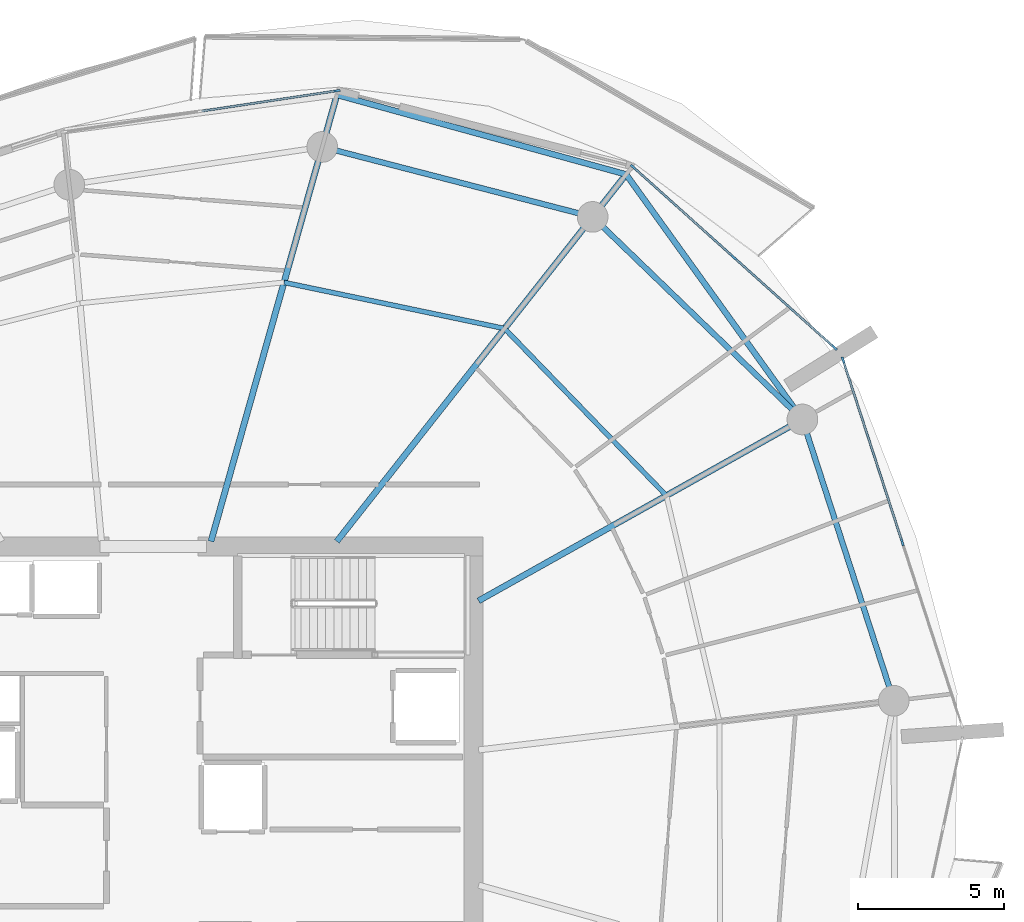
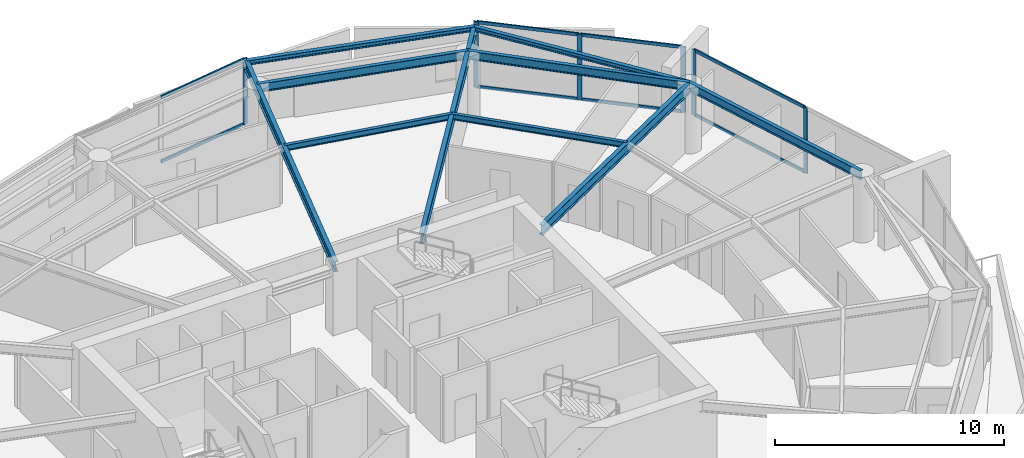
# One storey, part 9 of 21: 14 members, 10 beams, 3 elements without a shape of their own.
"""IFC4 building model written with IfcOpenShell, lengths in metres."""

from ifc_helpers import new_model, si_unit, direction, frame, origin, origin_2d, place, context, subcontext, project, spatial, rectangle, i_section, extrude, material, layer, layer_set, material_profile, profile_set, type_object, element, aggregate, save


model = new_model("IFC4")

# Units and contexts
model_context = context("Model", 3, precision=1e-05, world=origin(), true_north=direction((0.0, 1.0)))
body_context = subcontext(model_context, "Body", "Model", "MODEL_VIEW")
ifc_project = project(units=[si_unit("LENGTHUNIT", "METRE"), si_unit("AREAUNIT", "SQUARE_METRE"), si_unit("VOLUMEUNIT", "CUBIC_METRE"), si_unit("PLANEANGLEUNIT", "RADIAN"), si_unit("MASSUNIT", "GRAM", prefix="KILO")], contexts=[model_context])

# Site, building, storey
site_placement = place(None, origin())
site = spatial("IfcSite", under=ifc_project, at=site_placement, CompositionType="ELEMENT")
building_placement = place(site_placement, origin())
building = spatial("IfcBuilding", under=site, at=building_placement, Name="Kazma Halo Residences", CompositionType="ELEMENT")
storey_placement = place(building_placement, frame((0.0, 0.0, 195.300048828125)))
storey = spatial("IfcBuildingStorey", under=building, at=storey_placement, Name="L49", CompositionType="ELEMENT", Elevation=195.300048828125)

# Beams
ifc_material_1 = material(Name="Steel S355", Category="steel")
ifc_material_profile_1 = material_profile(ifc_material_1, i_section(OverallWidth=0.201904296875, OverallDepth=0.2470703125, WebThickness=0.00732421875, FlangeThickness=0.010986328125, FilletRadius=0.011962890625, at=origin_2d()), Name="W250x49.1")
ifc_profile_set_1 = profile_set([ifc_material_profile_1], Name="Steel S355")
beam_type_1 = type_object("IfcBeamType", Name="BM-BAL-CANT", PredefinedType="BEAM", material=ifc_profile_set_1)
beam_1_placement = place(storey_placement, frame((70.625, 54.670654296875, 3.37646484375), z_axis=(-0.583963922576, 0.811779611181, 0.0), x_axis=(-0.811779611181, -0.583963922576, 0.0)))
element("IfcBeam", 1, at=beam_1_placement, inside=storey, type_object=beam_type_1, Name="L49 wave-balcony lead tie beam 01", PredefinedType="BEAM", context=body_context, shape_type="SweptSolid", body=[
    extrude(i_section(OverallWidth=0.201904296875, OverallDepth=0.2470703125, WebThickness=0.00732421875, FlangeThickness=0.010986328125, FilletRadius=0.011962890625, at=origin_2d()), origin(), (0.0, 0.0, 1.0), 10.324462890625),
])
beam_2_placement = place(storey_placement, frame((64.595947265625, 63.0517578125, 3.37646484375), z_axis=(-0.964197026197, 0.265186905169, 0.0), x_axis=(-0.265186905169, -0.964197026197, 0.0)))
element("IfcBeam", 2, at=beam_2_placement, inside=storey, type_object=beam_type_1, Name="L49 wave-balcony tie beam 02", PredefinedType="BEAM", context=body_context, shape_type="SweptSolid", body=[
    extrude(i_section(OverallWidth=0.201904296875, OverallDepth=0.2470703125, WebThickness=0.00732421875, FlangeThickness=0.010986328125, FilletRadius=0.011962890625, at=origin_2d()), origin(), (0.0, 0.0, 1.0), 10.258544921875),
])
ifc_material_profile_2 = material_profile(ifc_material_1, i_section(OverallWidth=0.208984375, OverallDepth=0.532958984375, WebThickness=0.01025390625, FlangeThickness=0.015625, FilletRadius=0.01611328125, at=origin_2d()), Name="W530x92")
ifc_profile_set_2 = profile_set([ifc_material_profile_2], Name="Steel S355")
beam_type_2 = type_object("IfcBeamType", Name="BM-RAD-W530", PredefinedType="BEAM", material=ifc_profile_set_2)
beam_3_placement = place(storey_placement, frame((59.550048828125, 48.46826171875, 3.2333984375), z_axis=(0.872491912539, 0.488628552742, 0.0), x_axis=(-0.488628552742, 0.872491912539, 0.0)))
element("IfcBeam", 3, at=beam_3_placement, inside=storey, type_object=beam_type_2, Name="L49 radial floor beam 01", PredefinedType="BEAM", context=body_context, shape_type="SweptSolid", body=[
    extrude(i_section(OverallWidth=0.208984375, OverallDepth=0.532958984375, WebThickness=0.01025390625, FlangeThickness=0.015625, FilletRadius=0.01611328125, at=origin_2d()), origin(), (0.0, 0.0, 1.0), 12.693359375),
])
beam_4_placement = place(storey_placement, frame((54.700927734375, 50.5, 3.2333984375), z_axis=(0.61909439419, 0.785316580165, 0.0), x_axis=(-0.785316580165, 0.61909439419, 0.0)))
element("IfcBeam", 4, at=beam_4_placement, inside=storey, type_object=beam_type_2, Name="L49 radial floor beam 02", PredefinedType="BEAM", context=body_context, shape_type="SweptSolid", body=[
    extrude(i_section(OverallWidth=0.208984375, OverallDepth=0.532958984375, WebThickness=0.01025390625, FlangeThickness=0.015625, FilletRadius=0.01611328125, at=origin_2d()), origin(), (0.0, 0.0, 1.0), 15.983154296875),
])
beam_5_placement = place(storey_placement, frame((50.397216796875, 50.5, 3.2333984375), z_axis=(0.271449932859, 0.962452561922, 0.0), x_axis=(-0.962452561922, 0.271449932859, 0.0)))
element("IfcBeam", 5, at=beam_5_placement, inside=storey, type_object=beam_type_2, Name="L49 radial floor beam 03", PredefinedType="BEAM", context=body_context, shape_type="SweptSolid", body=[
    extrude(i_section(OverallWidth=0.208984375, OverallDepth=0.532958984375, WebThickness=0.01025390625, FlangeThickness=0.015625, FilletRadius=0.01611328125, at=origin_2d()), origin(), (0.0, 0.0, 1.0), 15.867919921875),
])
ifc_material_profile_3 = material_profile(ifc_material_1, i_section(OverallWidth=0.1650390625, OverallDepth=0.31005859375, WebThickness=0.005859375, FlangeThickness=0.009765625, FilletRadius=0.011962890625, at=origin_2d()), Name="W310x38.7")
ifc_profile_set_3 = profile_set([ifc_material_profile_3], Name="Steel S355")
beam_type_3 = type_object("IfcBeamType", Name="BM-SEC-W310B", PredefinedType="JOIST", material=ifc_profile_set_3)
beam_6_placement = place(storey_placement, frame((65.9736328125, 52.065673828125, 3.344970703125), z_axis=(-0.695659633946, 0.718371542934, 0.0), x_axis=(-0.718371542934, -0.695659633946, 0.0)))
element("IfcBeam", 6, at=beam_6_placement, inside=storey, type_object=beam_type_3, Name="L49 circumferential floor joist 01", PredefinedType="JOIST", context=body_context, shape_type="SweptSolid", body=[
    extrude(i_section(OverallWidth=0.1650390625, OverallDepth=0.31005859375, WebThickness=0.005859375, FlangeThickness=0.009765625, FilletRadius=0.011962890625, at=origin_2d()), origin(), (0.0, 0.0, 1.0), 7.95458984375),
])
beam_7_placement = place(storey_placement, frame((60.43994140625, 57.780029296875, 3.344970703125), z_axis=(-0.978821484976, 0.204715657802, 0.0), x_axis=(-0.204715657802, -0.978821484976, 0.0)))
element("IfcBeam", 7, at=beam_7_placement, inside=storey, type_object=beam_type_3, Name="L49 circumferential floor joist 02", PredefinedType="JOIST", context=body_context, shape_type="SweptSolid", body=[
    extrude(i_section(OverallWidth=0.1650390625, OverallDepth=0.31005859375, WebThickness=0.005859375, FlangeThickness=0.009765625, FilletRadius=0.011962890625, at=origin_2d()), origin(), (0.0, 0.0, 1.0), 7.707763671875),
])
ifc_material_profile_4 = material_profile(ifc_material_1, i_section(OverallWidth=0.18994140625, OverallDepth=0.45703125, WebThickness=0.009033203125, FlangeThickness=0.014404296875, FilletRadius=0.01611328125, at=origin_2d()), Name="W460x74")
ifc_profile_set_4 = profile_set([ifc_material_profile_4], Name="Steel S355")
beam_type_4 = type_object("IfcBeamType", Name="BM-SPN-W460", PredefinedType="BEAM", material=ifc_profile_set_4)
beam_8_placement = place(storey_placement, frame((70.625, 54.670654296875, 3.271484375), z_axis=(-0.71933650181, 0.694661786169, 0.0), x_axis=(-0.694661786169, -0.71933650181, 0.0)))
element("IfcBeam", 8, at=beam_8_placement, inside=storey, type_object=beam_type_4, Name="L49 perimeter ring beam 01", PredefinedType="BEAM", context=body_context, shape_type="SweptSolid", body=[
    extrude(i_section(OverallWidth=0.18994140625, OverallDepth=0.45703125, WebThickness=0.009033203125, FlangeThickness=0.014404296875, FilletRadius=0.01611328125, at=origin_2d()), origin(), (0.0, 0.0, 1.0), 9.9736328125),
])
beam_9_placement = place(storey_placement, frame((63.45068359375, 61.598876953125, 3.271484375), z_axis=(-0.968120950739, 0.25048318255, 0.0), x_axis=(-0.25048318255, -0.968120950739, 0.0)))
element("IfcBeam", 9, at=beam_9_placement, inside=storey, type_object=beam_type_4, Name="L49 perimeter ring beam 02", PredefinedType="BEAM", context=body_context, shape_type="SweptSolid", body=[
    extrude(i_section(OverallWidth=0.18994140625, OverallDepth=0.45703125, WebThickness=0.009033203125, FlangeThickness=0.014404296875, FilletRadius=0.01611328125, at=origin_2d()), origin(), (0.0, 0.0, 1.0), 9.552734375),
])
beam_10_placement = place(storey_placement, frame((73.751708984375, 45.0478515625, 3.271484375), z_axis=(-0.309023327426, 0.951054458539, 0.0), x_axis=(-0.951054458539, -0.309023327426, 0.0)))
element("IfcBeam", 10, at=beam_10_placement, inside=storey, type_object=beam_type_4, Name="L49 perimeter ring beam 16", PredefinedType="BEAM", context=body_context, shape_type="SweptSolid", body=[
    extrude(i_section(OverallWidth=0.18994140625, OverallDepth=0.45703125, WebThickness=0.009033203125, FlangeThickness=0.014404296875, FilletRadius=0.01611328125, at=origin_2d()), origin(), (0.0, 0.0, 1.0), 10.117919921875),
])

# Curtain wall, members
ifc_material_2 = material(Name="Aluminium AW-6063 T6 and Triple-Silver Low-E Glass", Category="aluminium")
ifc_layer = layer(ifc_material_2, 0.219970703125)
ifc_layer_set = layer_set([ifc_layer], Name="Aluminium AW-6063 T6 and Triple-Silver Low-E Glass")
curtain_wall_type = type_object("IfcCurtainWallType", Name="CW-SYS-4", PredefinedType="NOTDEFINED", material=ifc_layer_set)
curtain_wall_1_placement = place(storey_placement, origin())
curtain_wall_1 = element("IfcCurtainWall", 11, at=curtain_wall_1_placement, inside=storey, type_object=curtain_wall_type, Name="L49 unitised curtain wall B01", PredefinedType="NOTDEFINED")
ifc_material_3 = material(Name="Aluminium AW-6063 T6", Category="aluminium")
ifc_material_profile_5 = material_profile(ifc_material_3, rectangle(XDim=0.074951171875, YDim=0.219970703125, at=origin_2d()), Name="CWM-75x220")
ifc_profile_set_5 = profile_set([ifc_material_profile_5], Name="Aluminium AW-6063 T6")
member_type_1 = type_object("IfcMemberType", Name="CW-SYS-4-MUL", PredefinedType="MULLION", material=ifc_profile_set_5)
member_1_placement = place(storey_placement, frame((71.7216796875, 57.126220703125, 0.0), z_axis=(0.0, 0.0, 1.0), x_axis=(-0.667784328806, -0.744354814723, 0.0)))
member_1 = element("IfcMember", 12, at=member_1_placement, type_object=member_type_1, Name="CWS-4 mullion 1", PredefinedType="MULLION", context=body_context, shape_type="SweptSolid", body=[
    extrude(rectangle(XDim=0.074951171875, YDim=0.219970703125, at=origin_2d()), origin(), (0.0, 0.0, 1.0), 3.5),
])
member_2_placement = place(storey_placement, frame((68.280517578125, 60.213134765625, 0.0), z_axis=(0.0, 0.0, 1.0), x_axis=(-0.667784328806, -0.744354814723, 0.0)))
member_2 = element("IfcMember", 13, at=member_2_placement, type_object=member_type_1, Name="CWS-4 mullion 2", PredefinedType="MULLION", context=body_context, shape_type="SweptSolid", body=[
    extrude(rectangle(XDim=0.074951171875, YDim=0.219970703125, at=origin_2d()), origin(), (0.0, 0.0, 1.0), 3.5),
])
member_3_placement = place(storey_placement, frame((64.839599609375, 63.30029296875, 0.0), z_axis=(0.0, 0.0, 1.0), x_axis=(-0.667784328806, -0.744354814723, 0.0)))
member_3 = element("IfcMember", 14, at=member_3_placement, type_object=member_type_1, Name="CWS-4 mullion 3", PredefinedType="MULLION", context=body_context, shape_type="SweptSolid", body=[
    extrude(rectangle(XDim=0.074951171875, YDim=0.219970703125, at=origin_2d()), origin(), (0.0, 0.0, 1.0), 3.5),
])

# Curtain wall, member
curtain_wall_2_placement = place(storey_placement, origin())
curtain_wall_2 = element("IfcCurtainWall", 15, at=curtain_wall_2_placement, inside=storey, type_object=curtain_wall_type, Name="L49 unitised curtain wall B03", PredefinedType="NOTDEFINED")
member_4_placement = place(storey_placement, frame((54.708740234375, 65.913330078125, 0.0), z_axis=(0.0, 0.0, 1.0), x_axis=(0.148772639188, -0.988871428361, 0.0)))
member_4 = element("IfcMember", 16, at=member_4_placement, type_object=member_type_1, Name="CWS-4 mullion 1", PredefinedType="MULLION", context=body_context, shape_type="SweptSolid", body=[
    extrude(rectangle(XDim=0.074951171875, YDim=0.219970703125, at=origin_2d()), origin(), (0.0, 0.0, 1.0), 3.5),
])

# Curtain wall, members
curtain_wall_3_placement = place(storey_placement, origin())
curtain_wall_3 = element("IfcCurtainWall", 17, at=curtain_wall_3_placement, inside=storey, type_object=curtain_wall_type, Name="L49 unitised curtain wall B16", PredefinedType="NOTDEFINED")
member_5_placement = place(storey_placement, frame((74.04345703125, 50.4619140625, 0.0), z_axis=(0.0, 0.0, 1.0), x_axis=(-0.951056893636, -0.309015833038, 0.0)))
member_5 = element("IfcMember", 18, at=member_5_placement, type_object=member_type_1, Name="CWS-4 mullion 2", PredefinedType="MULLION", context=body_context, shape_type="SweptSolid", body=[
    extrude(rectangle(XDim=0.074951171875, YDim=0.219970703125, at=origin_2d()), origin(), (0.0, 0.0, 1.0), 3.5),
])
member_6_placement = place(storey_placement, frame((72.015625, 56.702880859375, 0.0), z_axis=(0.0, 0.0, 1.0), x_axis=(-0.951056893636, -0.309015833038, 0.0)))
member_6 = element("IfcMember", 19, at=member_6_placement, type_object=member_type_1, Name="CWS-4 mullion 3", PredefinedType="MULLION", context=body_context, shape_type="SweptSolid", body=[
    extrude(rectangle(XDim=0.074951171875, YDim=0.219970703125, at=origin_2d()), origin(), (0.0, 0.0, 1.0), 3.5),
])

# Member
ifc_material_profile_6 = material_profile(ifc_material_3, rectangle(XDim=0.074951171875, YDim=0.1650390625, at=origin_2d()), Name="CWT-75x165")
ifc_profile_set_6 = profile_set([ifc_material_profile_6], Name="Aluminium AW-6063 T6")
member_type_2 = type_object("IfcMemberType", Name="CW-SYS-4-TRN", PredefinedType="USERDEFINED", material=ifc_profile_set_6)
member_7_placement = place(storey_placement, frame((71.69384765625, 57.151123046875, 0.037353515625), z_axis=(-0.744344906673, 0.667795372783, 0.0), x_axis=(-0.667795372783, -0.744344906673, 0.0)))
member_7 = element("IfcMember", 20, at=member_7_placement, type_object=member_type_2, Name="CWS-4 transom 1.1", ObjectType="TRANSOM", PredefinedType="USERDEFINED", context=body_context, shape_type="SweptSolid", body=[
    extrude(rectangle(XDim=0.074951171875, YDim=0.1650390625, at=origin_2d()), origin(), (0.0, 0.0, 1.0), 4.5478515625),
])

member_8_placement = place(storey_placement, frame((71.69384765625, 57.151123046875, 3.46240234375), z_axis=(-0.744344906673, 0.667795372783, 0.0), x_axis=(-0.667795372783, -0.744344906673, 0.0)))
member_8 = element("IfcMember", 21, at=member_8_placement, type_object=member_type_2, Name="CWS-4 transom 1.2", ObjectType="TRANSOM", PredefinedType="USERDEFINED", context=body_context, shape_type="SweptSolid", body=[
    extrude(rectangle(XDim=0.074951171875, YDim=0.1650390625, at=origin_2d()), origin(), (0.0, 0.0, 1.0), 4.5478515625),
])

member_9_placement = place(storey_placement, frame((68.252685546875, 60.23828125, 0.037353515625), z_axis=(-0.744344906673, 0.667795372783, 0.0), x_axis=(-0.667795372783, -0.744344906673, 0.0)))
member_9 = element("IfcMember", 22, at=member_9_placement, type_object=member_type_2, Name="CWS-4 transom 2.1", ObjectType="TRANSOM", PredefinedType="USERDEFINED", context=body_context, shape_type="SweptSolid", body=[
    extrude(rectangle(XDim=0.074951171875, YDim=0.1650390625, at=origin_2d()), origin(), (0.0, 0.0, 1.0), 4.5478515625),
])

member_10_placement = place(storey_placement, frame((68.252685546875, 60.23828125, 3.46240234375), z_axis=(-0.744344906673, 0.667795372783, 0.0), x_axis=(-0.667795372783, -0.744344906673, 0.0)))
member_10 = element("IfcMember", 23, at=member_10_placement, type_object=member_type_2, Name="CWS-4 transom 2.2", ObjectType="TRANSOM", PredefinedType="USERDEFINED", context=body_context, shape_type="SweptSolid", body=[
    extrude(rectangle(XDim=0.074951171875, YDim=0.1650390625, at=origin_2d()), origin(), (0.0, 0.0, 1.0), 4.5478515625),
])

aggregate(curtain_wall_1, [member_1, member_2, member_3, member_7, member_8, member_9, member_10])

member_11_placement = place(storey_placement, frame((54.671630859375, 65.907958984375, 0.037353515625), z_axis=(-0.988867623216, -0.148797929272, 0.0), x_axis=(0.148797929272, -0.988867623216, 0.0)))
member_11 = element("IfcMember", 24, at=member_11_placement, type_object=member_type_2, Name="CWS-4 transom 1.1", ObjectType="TRANSOM", PredefinedType="USERDEFINED", context=body_context, shape_type="SweptSolid", body=[
    extrude(rectangle(XDim=0.074951171875, YDim=0.1650390625, at=origin_2d()), origin(), (0.0, 0.0, 1.0), 4.64501953125),
])

member_12_placement = place(storey_placement, frame((54.671630859375, 65.907958984375, 3.46240234375), z_axis=(-0.988867623216, -0.148797929272, 0.0), x_axis=(0.148797929272, -0.988867623216, 0.0)))
member_12 = element("IfcMember", 25, at=member_12_placement, type_object=member_type_2, Name="CWS-4 transom 1.2", ObjectType="TRANSOM", PredefinedType="USERDEFINED", context=body_context, shape_type="SweptSolid", body=[
    extrude(rectangle(XDim=0.074951171875, YDim=0.1650390625, at=origin_2d()), origin(), (0.0, 0.0, 1.0), 4.64501953125),
])

aggregate(curtain_wall_2, [member_4, member_11, member_12])

member_13_placement = place(storey_placement, frame((74.031982421875, 50.49755859375, 0.037353515625), z_axis=(-0.309015440644, 0.951057021132, 0.0), x_axis=(-0.951057021132, -0.309015440644, 0.0)))
member_13 = element("IfcMember", 26, at=member_13_placement, type_object=member_type_2, Name="CWS-4 transom 2.1", ObjectType="TRANSOM", PredefinedType="USERDEFINED", context=body_context, shape_type="SweptSolid", body=[
    extrude(rectangle(XDim=0.074951171875, YDim=0.1650390625, at=origin_2d()), origin(), (0.0, 0.0, 1.0), 6.487060546875),
])

member_14_placement = place(storey_placement, frame((74.031982421875, 50.49755859375, 3.46240234375), z_axis=(-0.309015440644, 0.951057021132, 0.0), x_axis=(-0.951057021132, -0.309015440644, 0.0)))
member_14 = element("IfcMember", 27, at=member_14_placement, type_object=member_type_2, Name="CWS-4 transom 2.2", ObjectType="TRANSOM", PredefinedType="USERDEFINED", context=body_context, shape_type="SweptSolid", body=[
    extrude(rectangle(XDim=0.074951171875, YDim=0.1650390625, at=origin_2d()), origin(), (0.0, 0.0, 1.0), 6.487060546875),
])

aggregate(curtain_wall_3, [member_5, member_6, member_13, member_14])

save(model, "model.ifc")
